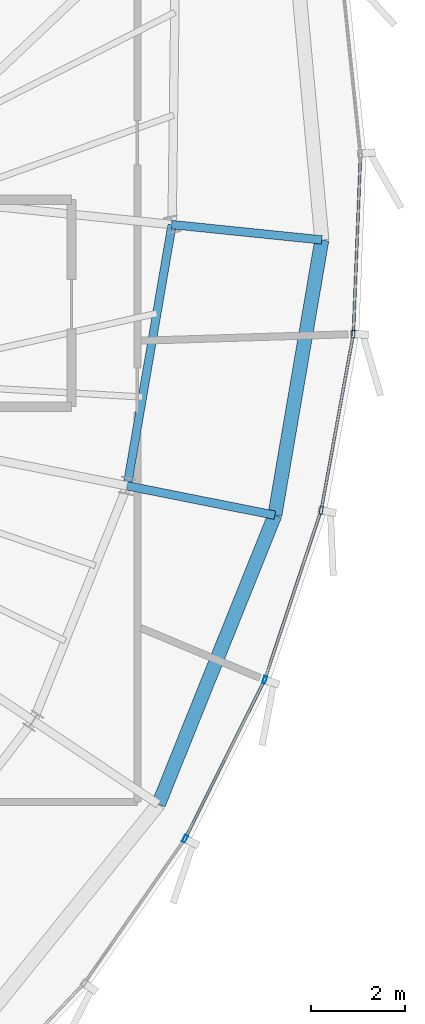
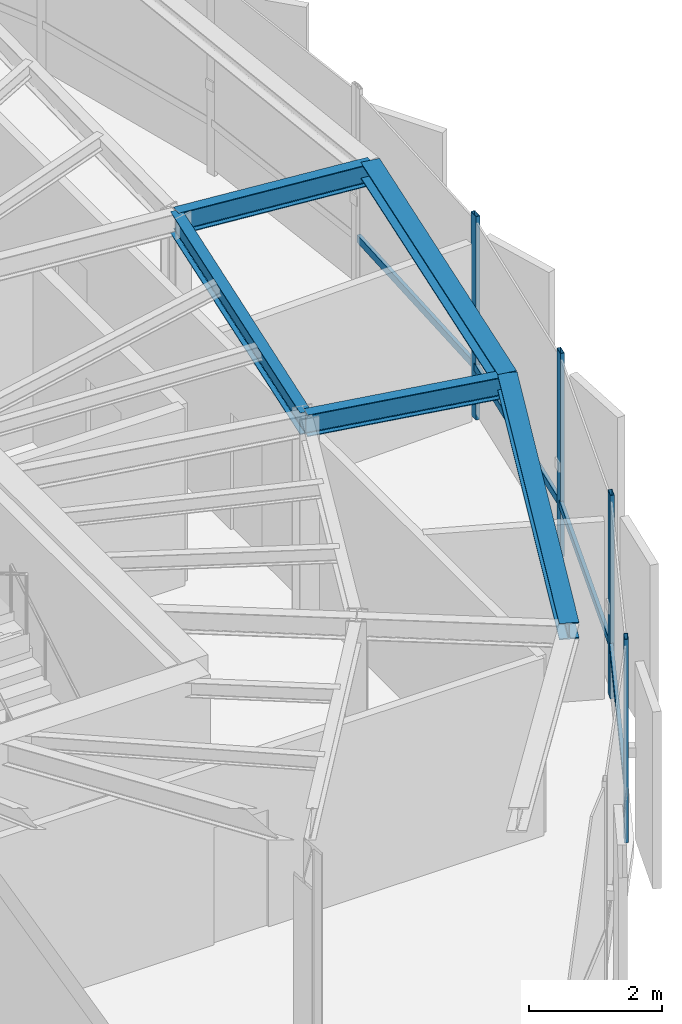
# One storey, part 12 of 25: 8 members, 5 beams, 1 element without a shape of its own.
"""IFC4 building model written with IfcOpenShell, lengths in metres."""

from ifc_helpers import new_model, si_unit, direction, frame, origin, origin_2d, place, context, subcontext, project, spatial, hollow_rectangle, i_section, extrude, source, transform, mapped, material, layer, layer_set, material_profile, profile_set, type_object, element, aggregate, save


model = new_model("IFC4")

# Units and contexts
model_context = context("Model", 3, precision=1e-05, world=origin(), true_north=direction((0.0, 1.0)))
body_context = subcontext(model_context, "Body", "Model", "MODEL_VIEW")
ifc_project = project(units=[si_unit("LENGTHUNIT", "METRE"), si_unit("AREAUNIT", "SQUARE_METRE"), si_unit("VOLUMEUNIT", "CUBIC_METRE"), si_unit("PLANEANGLEUNIT", "RADIAN"), si_unit("MASSUNIT", "GRAM", prefix="KILO"), si_unit("THERMODYNAMICTEMPERATUREUNIT", "KELVIN")], contexts=[model_context])

# Site, building, storey
site_placement = place(None, origin())
site = spatial("IfcSite", under=ifc_project, at=site_placement, CompositionType="ELEMENT")
building_placement = place(site_placement, origin())
building = spatial("IfcBuilding", under=site, at=building_placement, Name="Kethvar Cultural Tower", CompositionType="ELEMENT")
storey_placement = place(building_placement, frame((0.0, 0.0, 304.300048828125)))
storey = spatial("IfcBuildingStorey", under=building, at=storey_placement, Name="L81", CompositionType="ELEMENT", Elevation=304.300048828125)

# Beams
ifc_material_1 = material(Name="Steel S355J2", Category="steel")
ifc_material_profile_1 = material_profile(ifc_material_1, i_section(OverallWidth=0.179931640625, OverallDepth=0.39990234375, WebThickness=0.008544921875, FlangeThickness=0.013427734375, FilletRadius=0.02099609375, at=origin_2d()), Name="Steel S355J2 — IPE400")
ifc_profile_set_1 = profile_set([ifc_material_profile_1], Name="Steel S355J2 — IPE400")
beam_type_1 = type_object("IfcBeamType", Name="BM-IPE400", PredefinedType="BEAM", material=ifc_profile_set_1)
shared_shape_1 = source(origin(), body_context, "Body", "SweptSolid", [
    extrude(i_section(OverallWidth=0.179931640625, OverallDepth=0.39990234375, WebThickness=0.008544921875, FlangeThickness=0.013427734375, FilletRadius=0.02099609375, at=origin_2d()), origin(), (0.0, 0.0, 1.0), 3.199951171875),
])
for number, where, z_axis, x_axis, name in (
    (1, (61.237060546875, 30.671630859375, 3.532958984375), (0.994784019447, -0.10200369921, 0.0), (0.10200369921, 0.994784019447, 0.0), "L81 Perimeter Cantilever Beam RC-01"),
    (2, (60.28369140625, 25.117919921875, 3.532958984375), (0.980785550224, -0.195088965533, 0.0), (0.195088965533, 0.980785550224, 0.0), "L81 Perimeter Cantilever Beam RC-16"),
):
    element("IfcBeam", number, at=place(storey_placement, frame(where, z_axis=z_axis, x_axis=x_axis)), inside=storey, type_object=beam_type_1, Name=name, PredefinedType="BEAM", context=body_context, shape_type="MappedRepresentation", body=[
        mapped(shared_shape_1, transform((0.0, 0.0, 0.0), scale=1.0)),
    ])
ifc_material_profile_2 = material_profile(ifc_material_1, i_section(OverallWidth=0.300048828125, OverallDepth=0.300048828125, WebThickness=0.010986328125, FlangeThickness=0.01904296875, FilletRadius=0.027099609375, at=origin_2d()), Name="Steel S355J2 — HEB300")
ifc_profile_set_2 = profile_set([ifc_material_profile_2], Name="Steel S355J2 — HEB300")
beam_type_2 = type_object("IfcBeamType", Name="BM-SP300", PredefinedType="SPANDREL", material=ifc_profile_set_2)
shared_shape_2 = source(origin(), body_context, "Body", "SweptSolid", [
    extrude(i_section(OverallWidth=0.300048828125, OverallDepth=0.300048828125, WebThickness=0.010986328125, FlangeThickness=0.01904296875, FilletRadius=0.027099609375, at=origin_2d()), origin(), (0.0, 0.0, 1.0), 6.626220703125),
])
beam_1_placement = place(storey_placement, frame((60.94775390625, 18.3466796875, 3.5830078125), z_axis=(0.373416224197, 0.927663906545, 0.0), x_axis=(-0.927663906545, 0.373416224197, 0.0)))
element("IfcBeam", 3, at=beam_1_placement, inside=storey, type_object=beam_type_2, Name="L81 Perimeter Spandrel Beam SP-15", PredefinedType="SPANDREL", context=body_context, shape_type="MappedRepresentation", body=[
    mapped(shared_shape_2, transform((0.0, 0.0, 0.0), scale=1.0)),
])
shared_shape_3 = source(origin(), body_context, "Body", "SweptSolid", [
    extrude(i_section(OverallWidth=0.179931640625, OverallDepth=0.39990234375, WebThickness=0.008544921875, FlangeThickness=0.013427734375, FilletRadius=0.02099609375, at=origin_2d()), origin(), (0.0, 0.0, 1.0), 5.635009765625),
])
beam_2_placement = place(storey_placement, frame((60.28369140625, 25.117919921875, 3.532958984375), z_axis=(0.169188687614, 0.985583678834, 0.0), x_axis=(-0.985583678834, 0.169188687614, 0.0)))
element("IfcBeam", 4, at=beam_2_placement, inside=storey, type_object=beam_type_1, Name="L81 Column Ring Tie Beam CR-16", PredefinedType="BEAM", context=body_context, shape_type="MappedRepresentation", body=[
    mapped(shared_shape_3, transform((0.0, 0.0, 0.0), scale=1.0)),
])
shared_shape_4 = source(origin(), body_context, "Body", "SweptSolid", [
    extrude(i_section(OverallWidth=0.300048828125, OverallDepth=0.300048828125, WebThickness=0.010986328125, FlangeThickness=0.01904296875, FilletRadius=0.027099609375, at=origin_2d()), origin(), (0.0, 0.0, 1.0), 5.93603515625),
])
beam_3_placement = place(storey_placement, frame((63.422119140625, 24.49365234375, 3.5830078125), z_axis=(0.16817267321, 0.985757552335, 0.0), x_axis=(-0.985757552335, 0.16817267321, 0.0)))
element("IfcBeam", 5, at=beam_3_placement, inside=storey, type_object=beam_type_2, Name="L81 Perimeter Spandrel Beam SP-16", PredefinedType="SPANDREL", context=body_context, shape_type="MappedRepresentation", body=[
    mapped(shared_shape_4, transform((0.0, 0.0, 0.0), scale=1.0)),
])

# Curtain wall, members
ifc_material_2 = material(Name="Aluminium 6063-T6", Category="aluminium")
ifc_layer = layer(ifc_material_2, 0.179931640625, Name="Aluminium 6063-T6", Category="aluminium")
ifc_layer_set = layer_set([ifc_layer], Name="Aluminium 6063-T6 (180 mm)")
curtain_wall_type = type_object("IfcCurtainWallType", Name="CW-SYS-06-CROWN", PredefinedType="NOTDEFINED", material=ifc_layer_set)
curtain_wall_placement = place(storey_placement, origin())
curtain_wall = element("IfcCurtainWall", 6, at=curtain_wall_placement, inside=storey, type_object=curtain_wall_type, Name="L81 Curtain Wall Run 05", PredefinedType="NOTDEFINED")
ifc_material_profile_3 = material_profile(ifc_material_2, hollow_rectangle(XDim=0.06494140625, YDim=0.159912109375, WallThickness=0.0048828125, at=origin_2d()), Name="Aluminium 6063-T6 — RHS160x65x5")
ifc_profile_set_3 = profile_set([ifc_material_profile_3], Name="Aluminium 6063-T6 — RHS160x65x5")
member_type_1 = type_object("IfcMemberType", Name="CW-SYS-06-CROWN-MUL", PredefinedType="MULLION", material=ifc_profile_set_3)
shared_shape_5 = source(origin(), body_context, "Body", "SweptSolid", [
    extrude(hollow_rectangle(XDim=0.06494140625, YDim=0.159912109375, WallThickness=0.0048828125, at=origin_2d()), origin(), (0.0, 0.0, 1.0), 3.73486328125),
])
member_1_placement = place(storey_placement, frame((61.5126953125, 17.615234375, 0.0), z_axis=(0.0, 0.0, 1.0), x_axis=(-0.894130791003, 0.447805905031, 0.0)))
member_1 = element("IfcMember", 7, at=member_1_placement, type_object=member_type_1, Name="CW-L81-R05 Mullion 3", PredefinedType="MULLION", context=body_context, shape_type="MappedRepresentation", body=[
    mapped(shared_shape_5, transform((0.0, 0.0, 0.0), scale=1.0)),
])
member_2_placement = place(storey_placement, frame((63.20654296875, 20.994873046875, 0.0), z_axis=(0.0, 0.0, 1.0), x_axis=(-0.948804368726, 0.315864321958, 0.0)))
member_2 = element("IfcMember", 8, at=member_2_placement, type_object=member_type_1, Name="CW-L81-R05 Mullion 4", PredefinedType="MULLION", context=body_context, shape_type="MappedRepresentation", body=[
    mapped(shared_shape_5, transform((0.0, 0.0, 0.0), scale=1.0)),
])
member_3_placement = place(storey_placement, frame((64.406494140625, 24.595703125, 0.0), z_axis=(0.0, 0.0, 1.0), x_axis=(-0.983800670134, 0.179265840147, 0.0)))
member_3 = element("IfcMember", 9, at=member_3_placement, type_object=member_type_1, Name="CW-L81-R05 Mullion 5", PredefinedType="MULLION", context=body_context, shape_type="MappedRepresentation", body=[
    mapped(shared_shape_5, transform((0.0, 0.0, 0.0), scale=1.0)),
])
member_4_placement = place(storey_placement, frame((65.090576171875, 28.343017578125, 0.0), z_axis=(0.0, 0.0, 1.0), x_axis=(-0.999209730958, 0.039748126478, 0.0)))
member_4 = element("IfcMember", 10, at=member_4_placement, type_object=member_type_1, Name="CW-L81-R05 Mullion 6", PredefinedType="MULLION", context=body_context, shape_type="MappedRepresentation", body=[
    mapped(shared_shape_5, transform((0.0, 0.0, 0.0), scale=1.0)),
])
ifc_material_profile_4 = material_profile(ifc_material_2, hollow_rectangle(XDim=0.06005859375, YDim=0.139892578125, WallThickness=0.0048828125, at=origin_2d()), Name="Aluminium 6063-T6 — RHS140x60x5")
ifc_profile_set_4 = profile_set([ifc_material_profile_4], Name="Aluminium 6063-T6 — RHS140x60x5")
member_type_2 = type_object("IfcMemberType", Name="CW-SYS-06-CROWN-TRN", PredefinedType="USERDEFINED", material=ifc_profile_set_4)
shared_shape_6 = source(origin(), body_context, "Body", "SweptSolid", [
    extrude(hollow_rectangle(XDim=0.06005859375, YDim=0.139892578125, WallThickness=0.0048828125, at=origin_2d()), origin(), (0.0, 0.0, 1.0), 3.71728515625),
])
member_5_placement = place(storey_placement, frame((65.09228515625, 28.3896484375, 0.949951171875), z_axis=(0.039734600545, 0.999210268922, 0.0), x_axis=(-0.999210268922, 0.039734600545, 0.0)))
member_5 = element("IfcMember", 11, at=member_5_placement, type_object=member_type_2, Name="CW-L81-R05 Transom 6", ObjectType="TRANSOM", PredefinedType="USERDEFINED", context=body_context, shape_type="MappedRepresentation", body=[
    mapped(shared_shape_6, transform((0.0, 0.0, 0.0), scale=1.0)),
])
shared_shape_7 = source(origin(), body_context, "Body", "SweptSolid", [
    extrude(hollow_rectangle(XDim=0.06005859375, YDim=0.139892578125, WallThickness=0.0048828125, at=origin_2d()), origin(), (0.0, 0.0, 1.0), 3.718994140625),
])
member_6_placement = place(storey_placement, frame((63.22119140625, 21.039306640625, 0.949951171875), z_axis=(0.315892947066, 0.948794838726, 0.0), x_axis=(-0.948794838726, 0.315892947066, 0.0)))
member_6 = element("IfcMember", 12, at=member_6_placement, type_object=member_type_2, Name="CW-L81-R05 Transom 4", ObjectType="TRANSOM", PredefinedType="USERDEFINED", context=body_context, shape_type="MappedRepresentation", body=[
    mapped(shared_shape_7, transform((0.0, 0.0, 0.0), scale=1.0)),
])
shared_shape_8 = source(origin(), body_context, "Body", "SweptSolid", [
    extrude(hollow_rectangle(XDim=0.06005859375, YDim=0.139892578125, WallThickness=0.0048828125, at=origin_2d()), origin(), (0.0, 0.0, 1.0), 3.703857421875),
])
member_7_placement = place(storey_placement, frame((61.53369140625, 17.6572265625, 0.949951171875), z_axis=(0.447767203981, 0.894150172532, 0.0), x_axis=(-0.894150172532, 0.447767203981, 0.0)))
member_7 = element("IfcMember", 13, at=member_7_placement, type_object=member_type_2, Name="CW-L81-R05 Transom 3", ObjectType="TRANSOM", PredefinedType="USERDEFINED", context=body_context, shape_type="MappedRepresentation", body=[
    mapped(shared_shape_8, transform((0.0, 0.0, 0.0), scale=1.0)),
])
shared_shape_9 = source(origin(), body_context, "Body", "SweptSolid", [
    extrude(hollow_rectangle(XDim=0.06005859375, YDim=0.139892578125, WallThickness=0.0048828125, at=origin_2d()), origin(), (0.0, 0.0, 1.0), 3.732421875),
])
member_8_placement = place(storey_placement, frame((64.414794921875, 24.641845703125, 0.949951171875), z_axis=(0.179294116542, 0.983795517256, 0.0), x_axis=(-0.983795517256, 0.179294116542, 0.0)))
member_8 = element("IfcMember", 14, at=member_8_placement, type_object=member_type_2, Name="CW-L81-R05 Transom 5", ObjectType="TRANSOM", PredefinedType="USERDEFINED", context=body_context, shape_type="MappedRepresentation", body=[
    mapped(shared_shape_9, transform((0.0, 0.0, 0.0), scale=1.0)),
])
aggregate(curtain_wall, [member_1, member_2, member_3, member_4, member_7, member_6, member_8, member_5])

save(model, "model.ifc")
